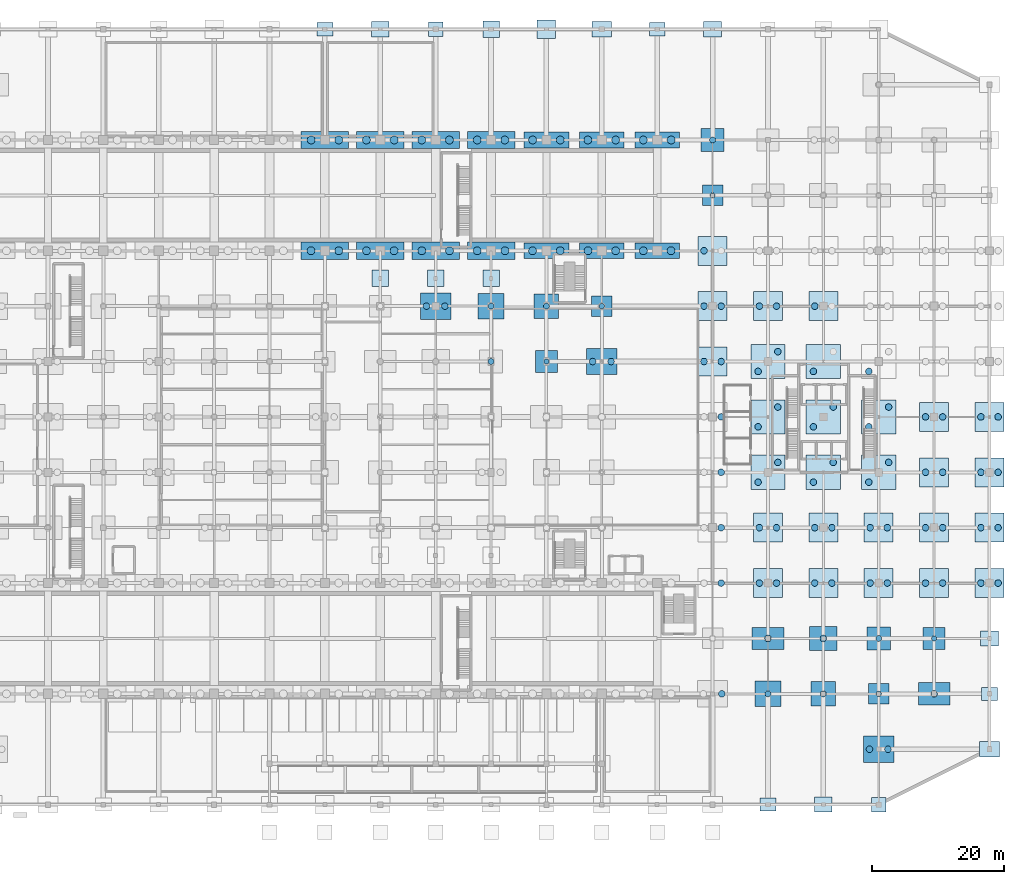
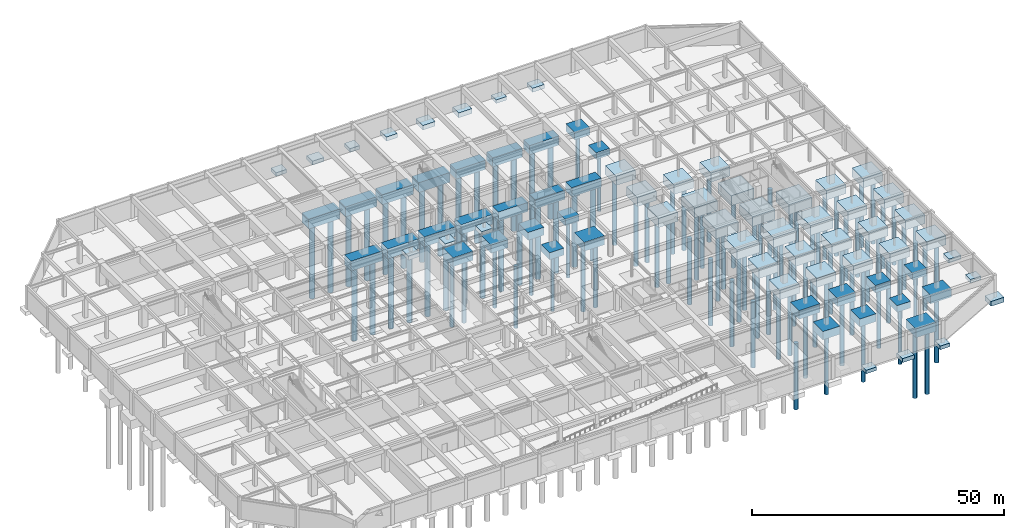
# One storey, part 3 of 26: 106 piles, 75 footings.
"""IFC4 building model written with IfcOpenShell, lengths in metres."""

from ifc_helpers import new_model, si_unit, direction, frame, origin, origin_2d, place, context, subcontext, project, spatial, rectangle, circle, extrude, material, material_profile, profile_set, type_object, element, save


model = new_model("IFC4")

# Units and contexts
model_context = context("Model", 3, precision=1e-05, world=origin(), true_north=direction((0.0, 1.0)))
body_context = subcontext(model_context, "Body", "Model", "MODEL_VIEW")
ifc_project = project(units=[si_unit("LENGTHUNIT", "METRE"), si_unit("AREAUNIT", "SQUARE_METRE"), si_unit("VOLUMEUNIT", "CUBIC_METRE"), si_unit("PLANEANGLEUNIT", "RADIAN"), si_unit("MASSUNIT", "GRAM", prefix="KILO")], contexts=[model_context])

# Site, building, storey
site_placement = place(None, origin())
site = spatial("IfcSite", under=ifc_project, at=site_placement, CompositionType="ELEMENT")
building_placement = place(site_placement, origin())
building = spatial("IfcBuilding", under=site, at=building_placement, Name="Xuanlan Plaza Opera House", CompositionType="ELEMENT")
storey_placement = place(building_placement, frame((0.0, 0.0, -5.39990234375)))
storey = spatial("IfcBuildingStorey", under=building, at=storey_placement, Name="B01", CompositionType="ELEMENT", Elevation=-5.39990234375)

# Footings
ifc_material_1 = material(Name="Concrete C40", Category="concrete")
footing_type_1 = type_object("IfcFootingType", Name="STR-FTG-PC-01", PredefinedType="PILE_CAP", material=ifc_material_1)
for number, where, z_axis, x_axis, name in (
    (1, (109.199951171875, 75.60009765625, -1.60009765625), (0.0, 0.0, 1.0), (1.0, 0.0, 0.0), "Podium Pile Cap 14-J"),
    (2, (126.0, 92.39990234375, -1.60009765625), (0.0, 0.0, 1.0), (1.0, 0.0, 0.0), "Podium Pile Cap 16-L"),
    (3, (151.199951171875, 16.800048828125, -1.60009765625), (0.0, 0.0, 1.0), (1.0, 0.0, 0.0), "Podium Pile Cap 19-C"),
):
    element("IfcFooting", number, at=place(storey_placement, frame(where, z_axis=z_axis, x_axis=x_axis)), inside=storey, type_object=footing_type_1, Name=name, PredefinedType="PILE_CAP", context=body_context, shape_type="SweptSolid", body=[
        extrude(rectangle(XDim=3.10009765625, YDim=3.10009765625, at=origin_2d()), origin(), (0.0, 0.0, 1.0), 1.60009765625),
    ])
footing_type_2 = type_object("IfcFootingType", Name="STR-FTG-PC-02", PredefinedType="PILE_CAP", material=ifc_material_1)
for number, where, z_axis, x_axis, name in (
    (4, (126.0, 100.800048828125, -1.80029296875), (0.0, 0.0, 1.0), (1.0, 0.0, 0.0), "Podium Pile Cap 16-M"),
    (5, (151.199951171875, 25.199951171875, -1.80029296875), (0.0, 0.0, 1.0), (1.0, 0.0, 0.0), "Podium Pile Cap 19-D"),
):
    element("IfcFooting", number, at=place(storey_placement, frame(where, z_axis=z_axis, x_axis=x_axis)), inside=storey, type_object=footing_type_2, Name=name, PredefinedType="PILE_CAP", context=body_context, shape_type="SweptSolid", body=[
        extrude(rectangle(XDim=3.5, YDim=3.5, at=origin_2d()), origin(), (0.0, 0.0, 1.0), 1.800048828125),
    ])
ifc_material_2 = material(Name="Concrete C50", Category="concrete")
footing_type_3 = type_object("IfcFootingType", Name="STR-FTG-PC-03", PredefinedType="PILE_CAP", material=ifc_material_2)
for number, where, z_axis, x_axis, name in (
    (6, (92.39990234375, 75.60009765625, -2.0), (0.0, 0.0, 1.0), (1.0, 0.0, 0.0), "Podium Pile Cap 12-J"),
    (7, (134.39990234375, 16.800048828125, -2.0), (0.0, 0.0, 1.0), (1.0, 0.0, 0.0), "Podium Pile Cap 17-C"),
):
    element("IfcFooting", number, at=place(storey_placement, frame(where, z_axis=z_axis, x_axis=x_axis)), inside=storey, type_object=footing_type_3, Name=name, PredefinedType="PILE_CAP", context=body_context, shape_type="SweptSolid", body=[
        extrude(rectangle(XDim=3.89990234375, YDim=3.89990234375, at=origin_2d()), origin(), (0.0, 0.0, 1.0), 2.0),
    ])
footing_type_4 = type_object("IfcFootingType", Name="STR-FTG-PC-04", PredefinedType="PILE_CAP", material=ifc_material_2)
for number, where, z_axis, x_axis, name in (
    (8, (126.0, 67.199951171875, -2.2001953125), (0.0, 0.0, 1.0), (1.0, 0.0, 0.0), "Tower Pile Cap 16-I"),
    (9, (126.0, 75.60009765625, -2.2001953125), (0.0, 0.0, 1.0), (1.0, 0.0, 0.0), "Tower Pile Cap 16-J"),
    (10, (126.0, 84.0, -2.2001953125), (0.0, 0.0, 1.0), (1.0, 0.0, 0.0), "Tower Pile Cap 16-K"),
    (11, (134.39990234375, 33.60009765625, -2.2001953125), (0.0, 0.0, 1.0), (1.0, 0.0, 0.0), "Tower Pile Cap 17-E"),
    (12, (134.39990234375, 42.0, -2.2001953125), (0.0, 0.0, 1.0), (1.0, 0.0, 0.0), "Tower Pile Cap 17-F"),
    (13, (134.39990234375, 75.60009765625, -2.2001953125), (0.0, 0.0, 1.0), (1.0, 0.0, 0.0), "Tower Pile Cap 17-J"),
    (14, (142.800048828125, 33.60009765625, -2.2001953125), (0.0, 0.0, 1.0), (1.0, 0.0, 0.0), "Tower Pile Cap 18-E"),
    (15, (142.800048828125, 42.0, -2.2001953125), (0.0, 0.0, 1.0), (1.0, 0.0, 0.0), "Tower Pile Cap 18-F"),
    (16, (142.800048828125, 75.60009765625, -2.2001953125), (0.0, 0.0, 1.0), (1.0, 0.0, 0.0), "Tower Pile Cap 18-J"),
    (17, (151.199951171875, 33.60009765625, -2.2001953125), (0.0, 0.0, 1.0), (1.0, 0.0, 0.0), "Tower Pile Cap 19-E"),
    (18, (151.199951171875, 42.0, -2.2001953125), (0.0, 0.0, 1.0), (1.0, 0.0, 0.0), "Tower Pile Cap 19-F"),
    (19, (159.60009765625, 33.60009765625, -2.2001953125), (0.0, 0.0, 1.0), (1.0, 0.0, 0.0), "Tower Pile Cap 20-E"),
    (20, (159.60009765625, 42.0, -2.2001953125), (0.0, 0.0, 1.0), (1.0, 0.0, 0.0), "Tower Pile Cap 20-F"),
    (21, (159.60009765625, 50.39990234375, -2.2001953125), (0.0, 0.0, 1.0), (1.0, 0.0, 0.0), "Tower Pile Cap 20-G"),
    (22, (159.60009765625, 58.800048828125, -2.2001953125), (0.0, 0.0, 1.0), (1.0, 0.0, 0.0), "Tower Pile Cap 20-H"),
    (23, (168.0, 33.60009765625, -2.2001953125), (0.0, 0.0, 1.0), (1.0, 0.0, 0.0), "Tower Pile Cap 21-E"),
    (24, (168.0, 42.0, -2.2001953125), (0.0, 0.0, 1.0), (1.0, 0.0, 0.0), "Tower Pile Cap 21-F"),
    (25, (168.0, 50.39990234375, -2.2001953125), (0.0, 0.0, 1.0), (1.0, 0.0, 0.0), "Tower Pile Cap 21-G"),
    (26, (168.0, 58.800048828125, -2.2001953125), (0.0, 0.0, 1.0), (1.0, 0.0, 0.0), "Tower Pile Cap 21-H"),
):
    element("IfcFooting", number, at=place(storey_placement, frame(where, z_axis=z_axis, x_axis=x_axis)), inside=storey, type_object=footing_type_4, Name=name, PredefinedType="PILE_CAP", context=body_context, shape_type="SweptSolid", body=[
        extrude(rectangle(XDim=4.39990234375, YDim=4.39990234375, at=origin_2d()), origin(), (0.0, 0.0, 1.0), 2.199951171875),
    ])
footing_type_5 = type_object("IfcFootingType", Name="STR-FTG-PC-05", PredefinedType="PILE_CAP", material=ifc_material_2)
for number, where, z_axis, x_axis, name in (
    (27, (100.800048828125, 84.0, -2.2001953125), (0.0, 0.0, 1.0), (1.0, 0.0, 0.0), "Metro Transfer Pile Cap 13-K"),
    (28, (100.800048828125, 100.800048828125, -2.2001953125), (0.0, 0.0, 1.0), (1.0, 0.0, 0.0), "Metro Transfer Pile Cap 13-M"),
    (29, (109.199951171875, 84.0, -2.2001953125), (0.0, 0.0, 1.0), (1.0, 0.0, 0.0), "Metro Transfer Pile Cap 14-K"),
    (30, (109.199951171875, 100.800048828125, -2.2001953125), (0.0, 0.0, 1.0), (1.0, 0.0, 0.0), "Metro Transfer Pile Cap 14-M"),
    (31, (117.60009765625, 84.0, -2.2001953125), (0.0, 0.0, 1.0), (1.0, 0.0, 0.0), "Metro Transfer Pile Cap 15-K"),
    (32, (117.60009765625, 100.800048828125, -2.2001953125), (0.0, 0.0, 1.0), (1.0, 0.0, 0.0), "Metro Transfer Pile Cap 15-M"),
):
    element("IfcFooting", number, at=place(storey_placement, frame(where, z_axis=z_axis, x_axis=x_axis)), inside=storey, type_object=footing_type_5, Name=name, PredefinedType="PILE_CAP", context=body_context, shape_type="SweptSolid", body=[
        extrude(rectangle(XDim=6.800048828125, YDim=2.39990234375, at=origin_2d()), origin(), (0.0, 0.0, 1.0), 2.199951171875),
    ])
footing_type_6 = type_object("IfcFootingType", Name="STR-FTG-PC-06", PredefinedType="PILE_CAP", material=ifc_material_2)
for number, where, z_axis, x_axis, name in (
    (33, (67.199951171875, 84.0, -2.400146484375), (0.0, 0.0, 1.0), (1.0, 0.0, 0.0), "Metro Transfer Pile Cap 9-K"),
    (34, (67.199951171875, 100.800048828125, -2.400146484375), (0.0, 0.0, 1.0), (1.0, 0.0, 0.0), "Metro Transfer Pile Cap 9-M"),
    (35, (75.60009765625, 84.0, -2.400146484375), (0.0, 0.0, 1.0), (1.0, 0.0, 0.0), "Metro Transfer Pile Cap 10-K"),
    (36, (75.60009765625, 100.800048828125, -2.400146484375), (0.0, 0.0, 1.0), (1.0, 0.0, 0.0), "Metro Transfer Pile Cap 10-M"),
    (37, (84.0, 84.0, -2.400146484375), (0.0, 0.0, 1.0), (1.0, 0.0, 0.0), "Metro Transfer Pile Cap 11-K"),
    (38, (84.0, 100.800048828125, -2.400146484375), (0.0, 0.0, 1.0), (1.0, 0.0, 0.0), "Metro Transfer Pile Cap 11-M"),
    (39, (92.39990234375, 84.0, -2.400146484375), (0.0, 0.0, 1.0), (1.0, 0.0, 0.0), "Metro Transfer Pile Cap 12-K"),
    (40, (92.39990234375, 100.800048828125, -2.400146484375), (0.0, 0.0, 1.0), (1.0, 0.0, 0.0), "Metro Transfer Pile Cap 12-M"),
):
    element("IfcFooting", number, at=place(storey_placement, frame(where, z_axis=z_axis, x_axis=x_axis)), inside=storey, type_object=footing_type_6, Name=name, PredefinedType="PILE_CAP", context=body_context, shape_type="SweptSolid", body=[
        extrude(rectangle(XDim=7.199951171875, YDim=2.60009765625, at=origin_2d()), origin(), (0.0, 0.0, 1.0), 2.39990234375),
    ])
footing_type_7 = type_object("IfcFootingType", Name="STR-FTG-PC-07", PredefinedType="PILE_CAP", material=ifc_material_2)
for number, where, z_axis, x_axis, name in (
    (41, (134.39990234375, 25.199951171875, -2.10009765625), (0.0, 0.0, 1.0), (1.0, 0.0, 0.0), "Podium Pile Cap 17-D"),
    (42, (159.60009765625, 16.800048828125, -2.10009765625), (0.0, 0.0, 1.0), (1.0, 0.0, 0.0), "Podium Pile Cap 20-C"),
):
    element("IfcFooting", number, at=place(storey_placement, frame(where, z_axis=z_axis, x_axis=x_axis)), inside=storey, type_object=footing_type_7, Name=name, PredefinedType="PILE_CAP", context=body_context, shape_type="SweptSolid", body=[
        extrude(rectangle(XDim=4.800048828125, YDim=3.39990234375, at=origin_2d()), origin(), (0.0, 0.0, 1.0), 2.10009765625),
    ])
footing_type_8 = type_object("IfcFootingType", Name="STR-FTG-PC-08", PredefinedType="PILE_CAP", material=ifc_material_2)
for number, where, z_axis, x_axis, name in (
    (43, (134.39990234375, 50.39990234375, -2.400146484375), (0.0, 0.0, 1.0), (1.0, 0.0, 0.0), "Tower Pile Cap 17-G"),
    (44, (134.39990234375, 58.800048828125, -2.400146484375), (0.0, 0.0, 1.0), (1.0, 0.0, 0.0), "Tower Pile Cap 17-H"),
    (45, (134.39990234375, 67.199951171875, -2.400146484375), (0.0, 0.0, 1.0), (1.0, 0.0, 0.0), "Tower Pile Cap 17-I"),
    (46, (142.800048828125, 50.39990234375, -2.400146484375), (0.0, 0.0, 1.0), (1.0, 0.0, 0.0), "Tower Pile Cap 18-G"),
    (47, (142.800048828125, 58.800048828125, -2.400146484375), (0.0, 0.0, 1.0), (1.0, 0.0, 0.0), "Tower Pile Cap 18-H"),
    (48, (142.800048828125, 67.199951171875, -2.400146484375), (0.0, 0.0, 1.0), (1.0, 0.0, 0.0), "Tower Pile Cap 18-I"),
    (49, (151.199951171875, 50.39990234375, -2.400146484375), (0.0, 0.0, 1.0), (1.0, 0.0, 0.0), "Tower Pile Cap 19-G"),
    (50, (151.199951171875, 58.800048828125, -2.400146484375), (0.0, 0.0, 1.0), (1.0, 0.0, 0.0), "Tower Pile Cap 19-H"),
):
    element("IfcFooting", number, at=place(storey_placement, frame(where, z_axis=z_axis, x_axis=x_axis)), inside=storey, type_object=footing_type_8, Name=name, PredefinedType="PILE_CAP", context=body_context, shape_type="SweptSolid", body=[
        extrude(rectangle(XDim=5.199951171875, YDim=5.199951171875, at=origin_2d()), origin(), (0.0, 0.0, 1.0), 2.39990234375),
    ])
footing_type_9 = type_object("IfcFootingType", Name="STR-FTG-PC-09", PredefinedType="PILE_CAP", material=ifc_material_1)
for number, where, z_axis, x_axis, name in (
    (51, (100.800048828125, 67.199951171875, -1.7001953125), (0.0, 0.0, 1.0), (1.0, 0.0, 0.0), "Podium Pile Cap 13-I"),
    (52, (159.60009765625, 25.199951171875, -1.7001953125), (0.0, 0.0, 1.0), (1.0, 0.0, 0.0), "Podium Pile Cap 20-D"),
):
    element("IfcFooting", number, at=place(storey_placement, frame(where, z_axis=z_axis, x_axis=x_axis)), inside=storey, type_object=footing_type_9, Name=name, PredefinedType="PILE_CAP", context=body_context, shape_type="SweptSolid", body=[
        extrude(rectangle(XDim=3.300048828125, YDim=3.300048828125, at=origin_2d()), origin(), (0.0, 0.0, 1.0), 1.699951171875),
    ])
footing_type_10 = type_object("IfcFootingType", Name="STR-FTG-PC-10", PredefinedType="PILE_CAP", material=ifc_material_1)
for number, where, z_axis, x_axis, name in (
    (53, (100.800048828125, 75.60009765625, -1.900146484375), (0.0, 0.0, 1.0), (1.0, 0.0, 0.0), "Podium Pile Cap 13-J"),
    (54, (142.800048828125, 16.800048828125, -1.900146484375), (0.0, 0.0, 1.0), (1.0, 0.0, 0.0), "Podium Pile Cap 18-C"),
):
    element("IfcFooting", number, at=place(storey_placement, frame(where, z_axis=z_axis, x_axis=x_axis)), inside=storey, type_object=footing_type_10, Name=name, PredefinedType="PILE_CAP", context=body_context, shape_type="SweptSolid", body=[
        extrude(rectangle(XDim=3.699951171875, YDim=3.699951171875, at=origin_2d()), origin(), (0.0, 0.0, 1.0), 1.89990234375),
    ])
footing_type_11 = type_object("IfcFootingType", Name="STR-FTG-PC-11", PredefinedType="PILE_CAP", material=ifc_material_2)
footing_1_placement = place(storey_placement, frame((142.800048828125, 25.199951171875, -2.05029296875), z_axis=(0.0, 0.0, 1.0), x_axis=(1.0, 0.0, 0.0)))
element("IfcFooting", 55, at=footing_1_placement, inside=storey, type_object=footing_type_11, Name="Podium Pile Cap 18-D", PredefinedType="PILE_CAP", context=body_context, shape_type="SweptSolid", body=[
    extrude(rectangle(XDim=4.199951171875, YDim=3.60009765625, at=origin_2d()), origin(), (0.0, 0.0, 1.0), 2.050048828125),
])
footing_type_12 = type_object("IfcFootingType", Name="STR-FTG-PC-12", PredefinedType="PILE_CAP", material=ifc_material_2)
for number, where, z_axis, x_axis, name in (
    (56, (84.0, 75.60009765625, -2.150146484375), (0.0, 0.0, 1.0), (1.0, 0.0, 0.0), "Podium Pile Cap 11-J"),
    (57, (109.199951171875, 67.199951171875, -2.150146484375), (0.0, 0.0, 1.0), (1.0, 0.0, 0.0), "Podium Pile Cap 14-I"),
    (58, (151.199951171875, 8.39990234375, -2.150146484375), (0.0, 0.0, 1.0), (1.0, 0.0, 0.0), "Podium Pile Cap 19-B"),
):
    element("IfcFooting", number, at=place(storey_placement, frame(where, z_axis=z_axis, x_axis=x_axis)), inside=storey, type_object=footing_type_12, Name=name, PredefinedType="PILE_CAP", context=body_context, shape_type="SweptSolid", body=[
        extrude(rectangle(XDim=4.60009765625, YDim=4.0, at=origin_2d()), origin(), (0.0, 0.0, 1.0), 2.14990234375),
    ])
footing_type_13 = type_object("IfcFootingType", Name="STR-FTG-PF-01", PredefinedType="PAD_FOOTING", material=ifc_material_1)
for number, where, z_axis, x_axis, name in (
    (59, (84.0, 117.60009765625, -0.900146484375), (0.0, 0.0, 1.0), (1.0, 0.0, 0.0), "Perimeter Pad Footing 11-O"),
    (60, (151.199951171875, 0.0, -0.900146484375), (0.0, 0.0, 1.0), (1.0, 0.0, 0.0), "Perimeter Pad Footing 19-A"),
):
    element("IfcFooting", number, at=place(storey_placement, frame(where, z_axis=z_axis, x_axis=x_axis)), inside=storey, type_object=footing_type_13, Name=name, PredefinedType="PAD_FOOTING", context=body_context, shape_type="SweptSolid", body=[
        extrude(rectangle(XDim=2.199951171875, YDim=2.199951171875, at=origin_2d()), origin(), (0.0, 0.0, 1.0), 0.89990234375),
    ])
footing_type_14 = type_object("IfcFootingType", Name="STR-FTG-PF-02", PredefinedType="PAD_FOOTING", material=ifc_material_1)
for number, where, z_axis, x_axis, name in (
    (61, (92.39990234375, 117.60009765625, -1.0), (0.0, 0.0, 1.0), (1.0, 0.0, 0.0), "Perimeter Pad Footing 12-O"),
    (62, (75.60009765625, 79.800048828125, -1.0), (0.0, 0.0, 1.0), (1.0, 0.0, 0.0), "Side Tier Support Pad Footing N X75"),
    (63, (84.0, 79.800048828125, -1.0), (0.0, 0.0, 1.0), (1.0, 0.0, 0.0), "Side Tier Support Pad Footing N X84"),
    (64, (92.39990234375, 79.800048828125, -1.0), (0.0, 0.0, 1.0), (1.0, 0.0, 0.0), "Side Tier Support Pad Footing N X92"),
):
    element("IfcFooting", number, at=place(storey_placement, frame(where, z_axis=z_axis, x_axis=x_axis)), inside=storey, type_object=footing_type_14, Name=name, PredefinedType="PAD_FOOTING", context=body_context, shape_type="SweptSolid", body=[
        extrude(rectangle(XDim=2.5, YDim=2.5, at=origin_2d()), origin(), (0.0, 0.0, 1.0), 1.0),
    ])
footing_type_15 = type_object("IfcFootingType", Name="STR-FTG-PF-03", PredefinedType="PAD_FOOTING", material=ifc_material_1)
footing_2_placement = place(storey_placement, frame((100.800048828125, 117.60009765625, -1.10009765625), z_axis=(0.0, 0.0, 1.0), x_axis=(1.0, 0.0, 0.0)))
element("IfcFooting", 65, at=footing_2_placement, inside=storey, type_object=footing_type_15, Name="Perimeter Pad Footing 13-O", PredefinedType="PAD_FOOTING", context=body_context, shape_type="SweptSolid", body=[
    extrude(rectangle(XDim=2.800048828125, YDim=2.800048828125, at=origin_2d()), origin(), (0.0, 0.0, 1.0), 1.10009765625),
])
footing_type_16 = type_object("IfcFootingType", Name="STR-FTG-PF-04", PredefinedType="PAD_FOOTING", material=ifc_material_1)
for number, where, z_axis, x_axis, name in (
    (66, (109.199951171875, 117.60009765625, -1.150146484375), (0.0, 0.0, 1.0), (1.0, 0.0, 0.0), "Perimeter Pad Footing 14-O"),
    (67, (168.0, 8.39990234375, -1.150146484375), (0.0, 0.0, 1.0), (1.0, 0.0, 0.0), "Perimeter Pad Footing 21-B"),
):
    element("IfcFooting", number, at=place(storey_placement, frame(where, z_axis=z_axis, x_axis=x_axis)), inside=storey, type_object=footing_type_16, Name=name, PredefinedType="PAD_FOOTING", context=body_context, shape_type="SweptSolid", body=[
        extrude(rectangle(XDim=3.0, YDim=2.39990234375, at=origin_2d()), origin(), (0.0, 0.0, 1.0), 1.14990234375),
    ])
footing_type_17 = type_object("IfcFootingType", Name="STR-FTG-PF-05", PredefinedType="PAD_FOOTING", material=ifc_material_1)
for number, where, z_axis, x_axis, name in (
    (68, (67.199951171875, 117.60009765625, -0.85009765625), (0.0, 0.0, 1.0), (1.0, 0.0, 0.0), "Perimeter Pad Footing 9-O"),
    (69, (117.60009765625, 117.60009765625, -0.85009765625), (0.0, 0.0, 1.0), (1.0, 0.0, 0.0), "Perimeter Pad Footing 15-O"),
    (70, (134.39990234375, 0.0, -0.85009765625), (0.0, 0.0, 1.0), (1.0, 0.0, 0.0), "Perimeter Pad Footing 17-A"),
    (71, (168.0, 16.800048828125, -0.85009765625), (0.0, 0.0, 1.0), (1.0, 0.0, 0.0), "Perimeter Pad Footing 21-C"),
):
    element("IfcFooting", number, at=place(storey_placement, frame(where, z_axis=z_axis, x_axis=x_axis)), inside=storey, type_object=footing_type_17, Name=name, PredefinedType="PAD_FOOTING", context=body_context, shape_type="SweptSolid", body=[
        extrude(rectangle(XDim=2.39990234375, YDim=2.0, at=origin_2d()), origin(), (0.0, 0.0, 1.0), 0.85009765625),
    ])
footing_type_18 = type_object("IfcFootingType", Name="STR-FTG-PF-06", PredefinedType="PAD_FOOTING", material=ifc_material_1)
for number, where, z_axis, x_axis, name in (
    (72, (75.60009765625, 117.60009765625, -0.9501953125), (0.0, 0.0, 1.0), (1.0, 0.0, 0.0), "Perimeter Pad Footing 10-O"),
    (73, (126.0, 117.60009765625, -0.9501953125), (0.0, 0.0, 1.0), (1.0, 0.0, 0.0), "Perimeter Pad Footing 16-O"),
    (74, (142.800048828125, 0.0, -0.9501953125), (0.0, 0.0, 1.0), (1.0, 0.0, 0.0), "Perimeter Pad Footing 18-A"),
    (75, (168.0, 25.199951171875, -0.9501953125), (0.0, 0.0, 1.0), (1.0, 0.0, 0.0), "Perimeter Pad Footing 21-D"),
):
    element("IfcFooting", number, at=place(storey_placement, frame(where, z_axis=z_axis, x_axis=x_axis)), inside=storey, type_object=footing_type_18, Name=name, PredefinedType="PAD_FOOTING", context=body_context, shape_type="SweptSolid", body=[
        extrude(rectangle(XDim=2.699951171875, YDim=2.300048828125, at=origin_2d()), origin(), (0.0, 0.0, 1.0), 0.949951171875),
    ])

# Piles
ifc_material_profile_1 = material_profile(ifc_material_1, circle(Radius=0.39990234375, at=origin_2d()), Name="PILE D800")
ifc_profile_set_1 = profile_set([ifc_material_profile_1], Name="Concrete C40")
pile_type_1 = type_object("IfcPileType", Name="STR-PILE-01", PredefinedType="BORED", material=ifc_profile_set_1)
for number, where, z_axis, x_axis, name in (
    (76, (100.800048828125, 67.199951171875, -1.550048828125), (0.0, 0.0, -1.0), (1.0, 0.0, 0.0), "Bored Pile 13-I-P1"),
    (77, (109.199951171875, 75.60009765625, -1.4501953125), (0.0, 0.0, -1.0), (1.0, 0.0, 0.0), "Bored Pile 14-J-P1"),
    (78, (126.0, 92.39990234375, -1.4501953125), (0.0, 0.0, -1.0), (1.0, 0.0, 0.0), "Bored Pile 16-L-P1"),
    (79, (151.199951171875, 16.800048828125, -1.4501953125), (0.0, 0.0, -1.0), (1.0, 0.0, 0.0), "Bored Pile 19-C-P1"),
    (80, (159.60009765625, 25.199951171875, -1.550048828125), (0.0, 0.0, -1.0), (1.0, 0.0, 0.0), "Bored Pile 20-D-P1"),
):
    element("IfcPile", number, at=place(storey_placement, frame(where, z_axis=z_axis, x_axis=x_axis)), inside=storey, type_object=pile_type_1, Name=name, PredefinedType="BORED", context=body_context, shape_type="SweptSolid", body=[
        extrude(circle(Radius=0.39990234375, at=origin_2d()), origin(), (0.0, 0.0, 1.0), 14.0),
    ])
ifc_material_profile_2 = material_profile(ifc_material_1, circle(Radius=0.449951171875, at=origin_2d()), Name="PILE D900")
ifc_profile_set_2 = profile_set([ifc_material_profile_2], Name="Concrete C40")
pile_type_2 = type_object("IfcPileType", Name="STR-PILE-02", PredefinedType="BORED", material=ifc_profile_set_2)
for number, where, z_axis, x_axis, name in (
    (81, (92.39990234375, 67.199951171875, -1.650146484375), (0.0, 0.0, -1.0), (1.0, 0.0, 0.0), "Bored Pile 12-I-P1"),
    (82, (92.39990234375, 75.60009765625, -1.85009765625), (0.0, 0.0, -1.0), (1.0, 0.0, 0.0), "Bored Pile 12-J-P1"),
    (83, (100.800048828125, 75.60009765625, -1.75), (0.0, 0.0, -1.0), (1.0, 0.0, 0.0), "Bored Pile 13-J-P1"),
    (84, (126.0, 100.800048828125, -1.650146484375), (0.0, 0.0, -1.0), (1.0, 0.0, 0.0), "Bored Pile 16-M-P1"),
    (85, (134.39990234375, 16.800048828125, -1.85009765625), (0.0, 0.0, -1.0), (1.0, 0.0, 0.0), "Bored Pile 17-C-P1"),
    (86, (142.800048828125, 16.800048828125, -1.75), (0.0, 0.0, -1.0), (1.0, 0.0, 0.0), "Bored Pile 18-C-P1"),
    (87, (151.199951171875, 25.199951171875, -1.650146484375), (0.0, 0.0, -1.0), (1.0, 0.0, 0.0), "Bored Pile 19-D-P1"),
):
    element("IfcPile", number, at=place(storey_placement, frame(where, z_axis=z_axis, x_axis=x_axis)), inside=storey, type_object=pile_type_2, Name=name, PredefinedType="BORED", context=body_context, shape_type="SweptSolid", body=[
        extrude(circle(Radius=0.449951171875, at=origin_2d()), origin(), (0.0, 0.0, 1.0), 15.0),
    ])
ifc_material_profile_3 = material_profile(ifc_material_1, circle(Radius=0.5, at=origin_2d()), Name="PILE D1000")
ifc_profile_set_3 = profile_set([ifc_material_profile_3], Name="Concrete C40")
pile_type_3 = type_object("IfcPileType", Name="STR-PILE-03", PredefinedType="BORED", material=ifc_profile_set_3)
for number, where, z_axis, x_axis, name in (
    (88, (82.60009765625, 75.60009765625, -2.0), (0.0, 0.0, -1.0), (1.0, 0.0, 0.0), "Bored Pile 11-J-P1"),
    (89, (85.39990234375, 75.60009765625, -2.0), (0.0, 0.0, -1.0), (1.0, 0.0, 0.0), "Bored Pile 11-J-P2"),
    (90, (107.800048828125, 67.199951171875, -2.0), (0.0, 0.0, -1.0), (1.0, 0.0, 0.0), "Bored Pile 14-I-P1"),
    (91, (110.60009765625, 67.199951171875, -2.0), (0.0, 0.0, -1.0), (1.0, 0.0, 0.0), "Bored Pile 14-I-P2"),
    (92, (127.39990234375, 16.800048828125, -2.0), (0.0, 0.0, -1.0), (1.0, 0.0, 0.0), "Bored Pile 16-C-P2"),
    (93, (127.300048828125, 33.60009765625, -2.050048828125), (0.0, 0.0, -1.0), (1.0, 0.0, 0.0), "Bored Pile 16-E-P2"),
    (94, (127.300048828125, 42.0, -2.050048828125), (0.0, 0.0, -1.0), (1.0, 0.0, 0.0), "Bored Pile 16-F-P2"),
    (95, (127.300048828125, 50.39990234375, -2.050048828125), (0.0, 0.0, -1.0), (1.0, 0.0, 0.0), "Bored Pile 16-G-P2"),
    (96, (127.300048828125, 58.800048828125, -2.050048828125), (0.0, 0.0, -1.0), (1.0, 0.0, 0.0), "Bored Pile 16-H-P2"),
    (97, (124.699951171875, 67.199951171875, -2.050048828125), (0.0, 0.0, -1.0), (1.0, 0.0, 0.0), "Bored Pile 16-I-P1"),
    (98, (127.300048828125, 67.199951171875, -2.050048828125), (0.0, 0.0, -1.0), (1.0, 0.0, 0.0), "Bored Pile 16-I-P2"),
    (99, (124.699951171875, 75.60009765625, -2.050048828125), (0.0, 0.0, -1.0), (1.0, 0.0, 0.0), "Bored Pile 16-J-P1"),
    (100, (127.300048828125, 75.60009765625, -2.050048828125), (0.0, 0.0, -1.0), (1.0, 0.0, 0.0), "Bored Pile 16-J-P2"),
    (101, (124.699951171875, 84.0, -2.050048828125), (0.0, 0.0, -1.0), (1.0, 0.0, 0.0), "Bored Pile 16-K-P1"),
    (102, (134.39990234375, 25.199951171875, -1.9501953125), (0.0, 0.0, -1.0), (1.0, 0.0, 0.0), "Bored Pile 17-D-P1"),
    (103, (133.10009765625, 33.60009765625, -2.050048828125), (0.0, 0.0, -1.0), (1.0, 0.0, 0.0), "Bored Pile 17-E-P1"),
    (104, (135.699951171875, 33.60009765625, -2.050048828125), (0.0, 0.0, -1.0), (1.0, 0.0, 0.0), "Bored Pile 17-E-P2"),
    (105, (133.10009765625, 42.0, -2.050048828125), (0.0, 0.0, -1.0), (1.0, 0.0, 0.0), "Bored Pile 17-F-P1"),
    (106, (135.699951171875, 42.0, -2.050048828125), (0.0, 0.0, -1.0), (1.0, 0.0, 0.0), "Bored Pile 17-F-P2"),
    (107, (132.89990234375, 48.89990234375, -2.25), (0.0, 0.0, -1.0), (1.0, 0.0, 0.0), "Bored Pile 17-G-P1"),
    (108, (135.89990234375, 51.89990234375, -2.25), (0.0, 0.0, -1.0), (1.0, 0.0, 0.0), "Bored Pile 17-G-P2"),
    (109, (132.89990234375, 57.300048828125, -2.25), (0.0, 0.0, -1.0), (1.0, 0.0, 0.0), "Bored Pile 17-H-P1"),
    (110, (135.89990234375, 60.300048828125, -2.25), (0.0, 0.0, -1.0), (1.0, 0.0, 0.0), "Bored Pile 17-H-P2"),
    (111, (132.89990234375, 65.699951171875, -2.25), (0.0, 0.0, -1.0), (1.0, 0.0, 0.0), "Bored Pile 17-I-P1"),
    (112, (135.89990234375, 68.699951171875, -2.25), (0.0, 0.0, -1.0), (1.0, 0.0, 0.0), "Bored Pile 17-I-P2"),
    (113, (133.10009765625, 75.60009765625, -2.050048828125), (0.0, 0.0, -1.0), (1.0, 0.0, 0.0), "Bored Pile 17-J-P1"),
    (114, (135.699951171875, 75.60009765625, -2.050048828125), (0.0, 0.0, -1.0), (1.0, 0.0, 0.0), "Bored Pile 17-J-P2"),
    (115, (142.800048828125, 25.199951171875, -1.900146484375), (0.0, 0.0, -1.0), (1.0, 0.0, 0.0), "Bored Pile 18-D-P1"),
    (116, (141.5, 33.60009765625, -2.050048828125), (0.0, 0.0, -1.0), (1.0, 0.0, 0.0), "Bored Pile 18-E-P1"),
    (117, (144.10009765625, 33.60009765625, -2.050048828125), (0.0, 0.0, -1.0), (1.0, 0.0, 0.0), "Bored Pile 18-E-P2"),
    (118, (141.5, 42.0, -2.050048828125), (0.0, 0.0, -1.0), (1.0, 0.0, 0.0), "Bored Pile 18-F-P1"),
    (119, (144.10009765625, 42.0, -2.050048828125), (0.0, 0.0, -1.0), (1.0, 0.0, 0.0), "Bored Pile 18-F-P2"),
    (120, (141.300048828125, 48.89990234375, -2.25), (0.0, 0.0, -1.0), (1.0, 0.0, 0.0), "Bored Pile 18-G-P1"),
    (121, (144.300048828125, 51.89990234375, -2.25), (0.0, 0.0, -1.0), (1.0, 0.0, 0.0), "Bored Pile 18-G-P2"),
    (122, (141.300048828125, 57.300048828125, -2.25), (0.0, 0.0, -1.0), (1.0, 0.0, 0.0), "Bored Pile 18-H-P1"),
    (123, (144.300048828125, 60.300048828125, -2.25), (0.0, 0.0, -1.0), (1.0, 0.0, 0.0), "Bored Pile 18-H-P2"),
    (124, (141.300048828125, 65.699951171875, -2.25), (0.0, 0.0, -1.0), (1.0, 0.0, 0.0), "Bored Pile 18-I-P1"),
    (125, (141.5, 75.60009765625, -2.050048828125), (0.0, 0.0, -1.0), (1.0, 0.0, 0.0), "Bored Pile 18-J-P1"),
    (126, (149.800048828125, 8.39990234375, -2.0), (0.0, 0.0, -1.0), (1.0, 0.0, 0.0), "Bored Pile 19-B-P1"),
    (127, (152.60009765625, 8.39990234375, -2.0), (0.0, 0.0, -1.0), (1.0, 0.0, 0.0), "Bored Pile 19-B-P2"),
    (128, (149.89990234375, 33.60009765625, -2.050048828125), (0.0, 0.0, -1.0), (1.0, 0.0, 0.0), "Bored Pile 19-E-P1"),
    (129, (152.5, 33.60009765625, -2.050048828125), (0.0, 0.0, -1.0), (1.0, 0.0, 0.0), "Bored Pile 19-E-P2"),
    (130, (149.89990234375, 42.0, -2.050048828125), (0.0, 0.0, -1.0), (1.0, 0.0, 0.0), "Bored Pile 19-F-P1"),
    (131, (152.5, 42.0, -2.050048828125), (0.0, 0.0, -1.0), (1.0, 0.0, 0.0), "Bored Pile 19-F-P2"),
    (132, (149.699951171875, 48.89990234375, -2.25), (0.0, 0.0, -1.0), (1.0, 0.0, 0.0), "Bored Pile 19-G-P1"),
    (133, (152.699951171875, 51.89990234375, -2.25), (0.0, 0.0, -1.0), (1.0, 0.0, 0.0), "Bored Pile 19-G-P2"),
    (134, (149.699951171875, 57.300048828125, -2.25), (0.0, 0.0, -1.0), (1.0, 0.0, 0.0), "Bored Pile 19-H-P1"),
    (135, (152.699951171875, 60.300048828125, -2.25), (0.0, 0.0, -1.0), (1.0, 0.0, 0.0), "Bored Pile 19-H-P2"),
    (136, (149.699951171875, 65.699951171875, -2.25), (0.0, 0.0, -1.0), (1.0, 0.0, 0.0), "Bored Pile 19-I-P1"),
    (137, (159.60009765625, 16.800048828125, -1.9501953125), (0.0, 0.0, -1.0), (1.0, 0.0, 0.0), "Bored Pile 20-C-P1"),
    (138, (158.300048828125, 33.60009765625, -2.050048828125), (0.0, 0.0, -1.0), (1.0, 0.0, 0.0), "Bored Pile 20-E-P1"),
    (139, (160.89990234375, 33.60009765625, -2.050048828125), (0.0, 0.0, -1.0), (1.0, 0.0, 0.0), "Bored Pile 20-E-P2"),
    (140, (158.300048828125, 42.0, -2.050048828125), (0.0, 0.0, -1.0), (1.0, 0.0, 0.0), "Bored Pile 20-F-P1"),
    (141, (160.89990234375, 42.0, -2.050048828125), (0.0, 0.0, -1.0), (1.0, 0.0, 0.0), "Bored Pile 20-F-P2"),
    (142, (158.300048828125, 50.39990234375, -2.050048828125), (0.0, 0.0, -1.0), (1.0, 0.0, 0.0), "Bored Pile 20-G-P1"),
    (143, (160.89990234375, 50.39990234375, -2.050048828125), (0.0, 0.0, -1.0), (1.0, 0.0, 0.0), "Bored Pile 20-G-P2"),
    (144, (158.300048828125, 58.800048828125, -2.050048828125), (0.0, 0.0, -1.0), (1.0, 0.0, 0.0), "Bored Pile 20-H-P1"),
    (145, (160.89990234375, 58.800048828125, -2.050048828125), (0.0, 0.0, -1.0), (1.0, 0.0, 0.0), "Bored Pile 20-H-P2"),
    (146, (166.699951171875, 33.60009765625, -2.050048828125), (0.0, 0.0, -1.0), (1.0, 0.0, 0.0), "Bored Pile 21-E-P1"),
    (147, (169.300048828125, 33.60009765625, -2.050048828125), (0.0, 0.0, -1.0), (1.0, 0.0, 0.0), "Bored Pile 21-E-P2"),
    (148, (166.699951171875, 42.0, -2.050048828125), (0.0, 0.0, -1.0), (1.0, 0.0, 0.0), "Bored Pile 21-F-P1"),
    (149, (169.300048828125, 42.0, -2.050048828125), (0.0, 0.0, -1.0), (1.0, 0.0, 0.0), "Bored Pile 21-F-P2"),
    (150, (166.699951171875, 50.39990234375, -2.050048828125), (0.0, 0.0, -1.0), (1.0, 0.0, 0.0), "Bored Pile 21-G-P1"),
    (151, (169.300048828125, 50.39990234375, -2.050048828125), (0.0, 0.0, -1.0), (1.0, 0.0, 0.0), "Bored Pile 21-G-P2"),
    (152, (166.699951171875, 58.800048828125, -2.050048828125), (0.0, 0.0, -1.0), (1.0, 0.0, 0.0), "Bored Pile 21-H-P1"),
    (153, (169.300048828125, 58.800048828125, -2.050048828125), (0.0, 0.0, -1.0), (1.0, 0.0, 0.0), "Bored Pile 21-H-P2"),
):
    element("IfcPile", number, at=place(storey_placement, frame(where, z_axis=z_axis, x_axis=x_axis)), inside=storey, type_object=pile_type_3, Name=name, PredefinedType="BORED", context=body_context, shape_type="SweptSolid", body=[
        extrude(circle(Radius=0.5, at=origin_2d()), origin(), (0.0, 0.0, 1.0), 16.0),
    ])
ifc_material_profile_4 = material_profile(ifc_material_1, circle(Radius=0.60009765625, at=origin_2d()), Name="PILE D1200")
ifc_profile_set_4 = profile_set([ifc_material_profile_4], Name="Concrete C40")
pile_type_4 = type_object("IfcPileType", Name="STR-PILE-04", PredefinedType="BORED", material=ifc_profile_set_4)
for number, where, z_axis, x_axis, name in (
    (154, (65.10009765625, 84.0, -2.25), (0.0, 0.0, -1.0), (1.0, 0.0, 0.0), "Bored Pile 9-K-P1"),
    (155, (69.300048828125, 84.0, -2.25), (0.0, 0.0, -1.0), (1.0, 0.0, 0.0), "Bored Pile 9-K-P2"),
    (156, (65.10009765625, 100.800048828125, -2.25), (0.0, 0.0, -1.0), (1.0, 0.0, 0.0), "Bored Pile 9-M-P1"),
    (157, (69.300048828125, 100.800048828125, -2.25), (0.0, 0.0, -1.0), (1.0, 0.0, 0.0), "Bored Pile 9-M-P2"),
    (158, (73.5, 84.0, -2.25), (0.0, 0.0, -1.0), (1.0, 0.0, 0.0), "Bored Pile 10-K-P1"),
    (159, (77.699951171875, 84.0, -2.25), (0.0, 0.0, -1.0), (1.0, 0.0, 0.0), "Bored Pile 10-K-P2"),
    (160, (73.5, 100.800048828125, -2.25), (0.0, 0.0, -1.0), (1.0, 0.0, 0.0), "Bored Pile 10-M-P1"),
    (161, (77.699951171875, 100.800048828125, -2.25), (0.0, 0.0, -1.0), (1.0, 0.0, 0.0), "Bored Pile 10-M-P2"),
    (162, (81.89990234375, 84.0, -2.25), (0.0, 0.0, -1.0), (1.0, 0.0, 0.0), "Bored Pile 11-K-P1"),
    (163, (86.10009765625, 84.0, -2.25), (0.0, 0.0, -1.0), (1.0, 0.0, 0.0), "Bored Pile 11-K-P2"),
    (164, (81.89990234375, 100.800048828125, -2.25), (0.0, 0.0, -1.0), (1.0, 0.0, 0.0), "Bored Pile 11-M-P1"),
    (165, (86.10009765625, 100.800048828125, -2.25), (0.0, 0.0, -1.0), (1.0, 0.0, 0.0), "Bored Pile 11-M-P2"),
    (166, (90.300048828125, 84.0, -2.25), (0.0, 0.0, -1.0), (1.0, 0.0, 0.0), "Bored Pile 12-K-P1"),
    (167, (94.5, 84.0, -2.25), (0.0, 0.0, -1.0), (1.0, 0.0, 0.0), "Bored Pile 12-K-P2"),
    (168, (90.300048828125, 100.800048828125, -2.25), (0.0, 0.0, -1.0), (1.0, 0.0, 0.0), "Bored Pile 12-M-P1"),
    (169, (94.5, 100.800048828125, -2.25), (0.0, 0.0, -1.0), (1.0, 0.0, 0.0), "Bored Pile 12-M-P2"),
    (170, (98.699951171875, 84.0, -2.050048828125), (0.0, 0.0, -1.0), (1.0, 0.0, 0.0), "Bored Pile 13-K-P1"),
    (171, (102.89990234375, 84.0, -2.050048828125), (0.0, 0.0, -1.0), (1.0, 0.0, 0.0), "Bored Pile 13-K-P2"),
    (172, (98.699951171875, 100.800048828125, -2.050048828125), (0.0, 0.0, -1.0), (1.0, 0.0, 0.0), "Bored Pile 13-M-P1"),
    (173, (102.89990234375, 100.800048828125, -2.050048828125), (0.0, 0.0, -1.0), (1.0, 0.0, 0.0), "Bored Pile 13-M-P2"),
    (174, (107.10009765625, 84.0, -2.050048828125), (0.0, 0.0, -1.0), (1.0, 0.0, 0.0), "Bored Pile 14-K-P1"),
    (175, (111.300048828125, 84.0, -2.050048828125), (0.0, 0.0, -1.0), (1.0, 0.0, 0.0), "Bored Pile 14-K-P2"),
    (176, (107.10009765625, 100.800048828125, -2.050048828125), (0.0, 0.0, -1.0), (1.0, 0.0, 0.0), "Bored Pile 14-M-P1"),
    (177, (111.300048828125, 100.800048828125, -2.050048828125), (0.0, 0.0, -1.0), (1.0, 0.0, 0.0), "Bored Pile 14-M-P2"),
    (178, (115.5, 84.0, -2.050048828125), (0.0, 0.0, -1.0), (1.0, 0.0, 0.0), "Bored Pile 15-K-P1"),
    (179, (119.699951171875, 84.0, -2.050048828125), (0.0, 0.0, -1.0), (1.0, 0.0, 0.0), "Bored Pile 15-K-P2"),
    (180, (115.5, 100.800048828125, -2.050048828125), (0.0, 0.0, -1.0), (1.0, 0.0, 0.0), "Bored Pile 15-M-P1"),
    (181, (119.699951171875, 100.800048828125, -2.050048828125), (0.0, 0.0, -1.0), (1.0, 0.0, 0.0), "Bored Pile 15-M-P2"),
):
    element("IfcPile", number, at=place(storey_placement, frame(where, z_axis=z_axis, x_axis=x_axis)), inside=storey, type_object=pile_type_4, Name=name, PredefinedType="BORED", context=body_context, shape_type="SweptSolid", body=[
        extrude(circle(Radius=0.60009765625, at=origin_2d()), origin(), (0.0, 0.0, 1.0), 18.0),
    ])

save(model, "model.ifc")
